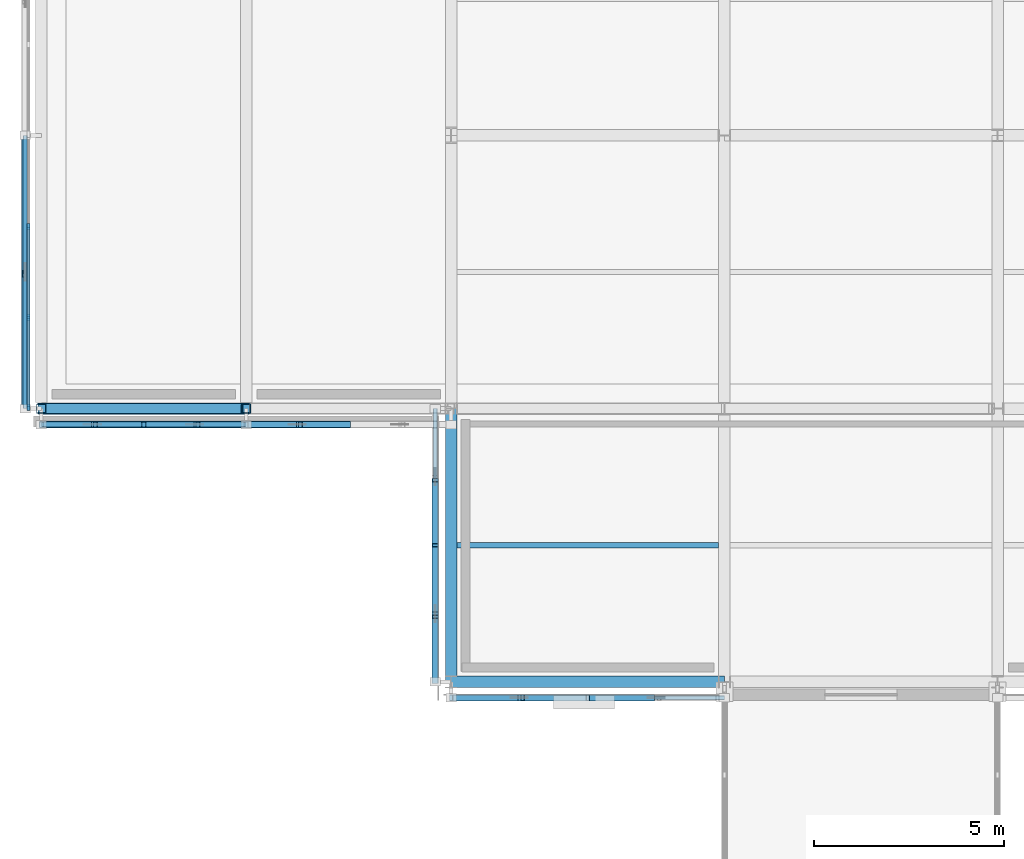
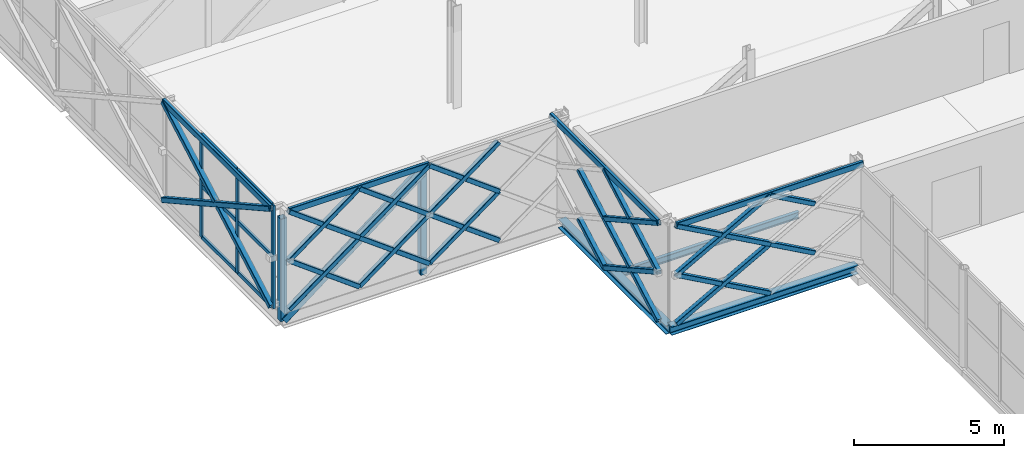
# One storey, part 28 of 126: 53 members, 3 beams, 1 element without a shape of its own.
"""IFC4 building model written with IfcOpenShell, lengths in metres."""

from ifc_helpers import new_model, si_unit, direction, frame, origin, origin_2d, place, context, subcontext, project, spatial, rectangle, hollow_rectangle, i_section, extrude, material, material_profile, profile_set, type_object, element, aggregate, save


model = new_model("IFC4")

# Units and contexts
model_context = context("Model", 3, precision=1e-05, world=origin(), true_north=direction((0.0, 1.0)))
body_context = subcontext(model_context, "Body", "Model", "MODEL_VIEW")
ifc_project = project(units=[si_unit("LENGTHUNIT", "METRE"), si_unit("AREAUNIT", "SQUARE_METRE"), si_unit("VOLUMEUNIT", "CUBIC_METRE"), si_unit("PLANEANGLEUNIT", "RADIAN"), si_unit("MASSUNIT", "GRAM", prefix="KILO")], contexts=[model_context])

# Site, building, storey
site_placement = place(None, origin())
site = spatial("IfcSite", under=ifc_project, at=site_placement, CompositionType="ELEMENT")
building_placement = place(site_placement, origin())
building = spatial("IfcBuilding", under=site, at=building_placement, Name="Zlatovets Crest Museum", CompositionType="ELEMENT")
storey_placement = place(building_placement, frame((0.0, 0.0, 8.699951171875)))
storey = spatial("IfcBuildingStorey", under=building, at=storey_placement, Name="L02", CompositionType="ELEMENT", Elevation=8.699951171875)

# Beams
ifc_material_1 = material(Name="Structural steel S355J2", Category="steel")
ifc_material_profile_1 = material_profile(ifc_material_1, i_section(OverallWidth=0.300048828125, OverallDepth=0.35009765625, WebThickness=0.010009765625, FlangeThickness=0.017578125, FilletRadius=0.027099609375, at=origin_2d()), Name="HEA 360")
ifc_profile_set_1 = profile_set([ifc_material_profile_1], Name="Structural steel S355J2")
beam_type_1 = type_object("IfcBeamType", Name="Beam_B-03", PredefinedType="BEAM", material=ifc_profile_set_1)
beam_1_placement = place(storey_placement, frame((7.199951171875, 50.39990234375, -0.39501953125), z_axis=(1.0, 0.0, 0.0), x_axis=(0.0, 1.0, 0.0)))
element("IfcBeam", 1, at=beam_1_placement, inside=storey, type_object=beam_type_1, Name="V4 L02 Primary Girder B-03", PredefinedType="BEAM", context=body_context, shape_type="SweptSolid", body=[
    extrude(i_section(OverallWidth=0.300048828125, OverallDepth=0.35009765625, WebThickness=0.010009765625, FlangeThickness=0.017578125, FilletRadius=0.027099609375, at=origin_2d()), origin(), (0.0, 0.0, 1.0), 7.199951171875),
])
beam_2_placement = place(storey_placement, frame((7.199951171875, 50.39990234375, -0.39501953125), z_axis=(0.0, 1.0, 0.0), x_axis=(-1.0, 0.0, 0.0)))
element("IfcBeam", 2, at=beam_2_placement, inside=storey, type_object=beam_type_1, Name="V4 L02 Grid Beam B-03", PredefinedType="BEAM", context=body_context, shape_type="SweptSolid", body=[
    extrude(i_section(OverallWidth=0.300048828125, OverallDepth=0.35009765625, WebThickness=0.010009765625, FlangeThickness=0.017578125, FilletRadius=0.027099609375, at=origin_2d()), origin(), (0.0, 0.0, 1.0), 7.2001953125),
])
ifc_material_profile_2 = material_profile(ifc_material_1, i_section(OverallWidth=0.135009765625, OverallDepth=0.27001953125, WebThickness=0.006591796875, FlangeThickness=0.01025390625, FilletRadius=0.014892578125, at=origin_2d()), Name="IPE 270")
ifc_profile_set_2 = profile_set([ifc_material_profile_2], Name="Structural steel S355J2")
beam_type_2 = type_object("IfcBeamType", Name="Beam_J-03", PredefinedType="JOIST", material=ifc_profile_set_2)
beam_3_placement = place(storey_placement, frame((7.35009765625, 54.0, -0.35498046875), z_axis=(1.0, 0.0, 0.0), x_axis=(0.0, 1.0, 0.0)))
element("IfcBeam", 3, at=beam_3_placement, inside=storey, type_object=beam_type_2, Name="V4 L02 Composite Joist J-03", PredefinedType="JOIST", context=body_context, shape_type="SweptSolid", body=[
    extrude(i_section(OverallWidth=0.135009765625, OverallDepth=0.27001953125, WebThickness=0.006591796875, FlangeThickness=0.01025390625, FilletRadius=0.014892578125, at=origin_2d()), origin(), (0.0, 0.0, 1.0), 6.89990234375),
])

# Curtain wall, members
ifc_material_2 = material(Name="Bronze-anodised aluminium and low-E triple glass", Category="aluminium")
curtain_wall_type = type_object("IfcCurtainWallType", Name="CW_CW-V4-L02-M2", PredefinedType="NOTDEFINED", material=ifc_material_2)
curtain_wall_placement = place(storey_placement, origin())
curtain_wall = element("IfcCurtainWall", 4, at=curtain_wall_placement, inside=storey, type_object=curtain_wall_type, Name="V4 L02 Secession Foyer Clear Curtain Wall", PredefinedType="NOTDEFINED")
ifc_material_3 = material(Name="Bronze-anodised aluminium EN AW-6060", Category="aluminium")
ifc_material_profile_3 = material_profile(ifc_material_3, rectangle(XDim=0.080078125, YDim=0.159912109375, at=origin_2d()), Name="ALU 80x160")
ifc_profile_set_3 = profile_set([ifc_material_profile_3], Name="Bronze-anodised aluminium EN AW-6060")
member_type_1 = type_object("IfcMemberType", Name="CWMull_M1", PredefinedType="MULLION", material=ifc_profile_set_3)
member_1_placement = place(storey_placement, frame((-3.93994140625, 62.39990234375, 0.0), z_axis=(0.0, 0.0, 1.0), x_axis=(1.0, 0.0, 0.0)))
member_1 = element("IfcMember", 5, at=member_1_placement, type_object=member_type_1, Name="CW-V4-L02-M2 mullion 2", PredefinedType="MULLION", context=body_context, shape_type="SweptSolid", body=[
    extrude(rectangle(XDim=0.080078125, YDim=0.159912109375, at=origin_2d()), origin(), (0.0, 0.0, 1.0), 4.199951171875),
])
member_2_placement = place(storey_placement, frame((-3.93994140625, 60.0, 0.0), z_axis=(0.0, 0.0, 1.0), x_axis=(1.0, 0.0, 0.0)))
member_2 = element("IfcMember", 6, at=member_2_placement, type_object=member_type_1, Name="CW-V4-L02-M2 mullion 3", PredefinedType="MULLION", context=body_context, shape_type="SweptSolid", body=[
    extrude(rectangle(XDim=0.080078125, YDim=0.159912109375, at=origin_2d()), origin(), (0.0, 0.0, 1.0), 4.199951171875),
])
member_3_placement = place(storey_placement, frame((-3.93994140625, 57.6298828125, 0.0), z_axis=(0.0, 0.0, 1.0), x_axis=(1.0, 0.0, 0.0)))
member_3 = element("IfcMember", 7, at=member_3_placement, type_object=member_type_1, Name="CW-V4-L02-M2 mullion 4", PredefinedType="MULLION", context=body_context, shape_type="SweptSolid", body=[
    extrude(rectangle(XDim=0.080078125, YDim=0.159912109375, at=origin_2d()), origin(), (0.0, 0.0, 1.0), 4.199951171875),
])
ifc_material_profile_4 = material_profile(ifc_material_3, rectangle(XDim=0.080078125, YDim=0.159912109375, at=origin_2d()), Name="ALU 80x160")
ifc_profile_set_4 = profile_set([ifc_material_profile_4], Name="Bronze-anodised aluminium EN AW-6060")
member_type_2 = type_object("IfcMemberType", Name="CWTrans_T1", PredefinedType="USERDEFINED", material=ifc_profile_set_4)
member_4_placement = place(storey_placement, frame((-3.93994140625, 62.3701171875, 0.030029296875), z_axis=(0.0, -1.0, 0.0), x_axis=(1.0, 0.0, 0.0)))
member_4 = element("IfcMember", 8, at=member_4_placement, type_object=member_type_2, Name="CW-V4-L02-M2 transom 2.1", ObjectType="TRANSOM", PredefinedType="USERDEFINED", context=body_context, shape_type="SweptSolid", body=[
    extrude(rectangle(XDim=0.080078125, YDim=0.159912109375, at=origin_2d()), origin(), (0.0, 0.0, 1.0), 2.340087890625),
])
member_5_placement = place(storey_placement, frame((-3.93994140625, 62.3701171875, 2.10009765625), z_axis=(0.0, -1.0, 0.0), x_axis=(1.0, 0.0, 0.0)))
member_5 = element("IfcMember", 9, at=member_5_placement, type_object=member_type_2, Name="CW-V4-L02-M2 transom 2.2", ObjectType="TRANSOM", PredefinedType="USERDEFINED", context=body_context, shape_type="SweptSolid", body=[
    extrude(rectangle(XDim=0.080078125, YDim=0.159912109375, at=origin_2d()), origin(), (0.0, 0.0, 1.0), 2.340087890625),
])
member_6_placement = place(storey_placement, frame((-3.93994140625, 62.3701171875, 4.170166015625), z_axis=(0.0, -1.0, 0.0), x_axis=(1.0, 0.0, 0.0)))
member_6 = element("IfcMember", 10, at=member_6_placement, type_object=member_type_2, Name="CW-V4-L02-M2 transom 2.3", ObjectType="TRANSOM", PredefinedType="USERDEFINED", context=body_context, shape_type="SweptSolid", body=[
    extrude(rectangle(XDim=0.080078125, YDim=0.159912109375, at=origin_2d()), origin(), (0.0, 0.0, 1.0), 2.340087890625),
])
member_7_placement = place(storey_placement, frame((-3.93994140625, 59.969970703125, 0.030029296875), z_axis=(0.0, -1.0, 0.0), x_axis=(1.0, 0.0, 0.0)))
member_7 = element("IfcMember", 11, at=member_7_placement, type_object=member_type_2, Name="CW-V4-L02-M2 transom 3.1", ObjectType="TRANSOM", PredefinedType="USERDEFINED", context=body_context, shape_type="SweptSolid", body=[
    extrude(rectangle(XDim=0.080078125, YDim=0.159912109375, at=origin_2d()), origin(), (0.0, 0.0, 1.0), 2.31005859375),
])
member_8_placement = place(storey_placement, frame((-3.93994140625, 59.969970703125, 2.10009765625), z_axis=(0.0, -1.0, 0.0), x_axis=(1.0, 0.0, 0.0)))
member_8 = element("IfcMember", 12, at=member_8_placement, type_object=member_type_2, Name="CW-V4-L02-M2 transom 3.2", ObjectType="TRANSOM", PredefinedType="USERDEFINED", context=body_context, shape_type="SweptSolid", body=[
    extrude(rectangle(XDim=0.080078125, YDim=0.159912109375, at=origin_2d()), origin(), (0.0, 0.0, 1.0), 2.31005859375),
])
member_9_placement = place(storey_placement, frame((-3.93994140625, 59.969970703125, 4.170166015625), z_axis=(0.0, -1.0, 0.0), x_axis=(1.0, 0.0, 0.0)))
member_9 = element("IfcMember", 13, at=member_9_placement, type_object=member_type_2, Name="CW-V4-L02-M2 transom 3.3", ObjectType="TRANSOM", PredefinedType="USERDEFINED", context=body_context, shape_type="SweptSolid", body=[
    extrude(rectangle(XDim=0.080078125, YDim=0.159912109375, at=origin_2d()), origin(), (0.0, 0.0, 1.0), 2.31005859375),
])
aggregate(curtain_wall, [member_1, member_2, member_3, member_4, member_5, member_6, member_7, member_8, member_9])

# Members
ifc_material_4 = material(Name="Weathering bronze-steel S355J2W", Category="steel")
ifc_material_profile_5 = material_profile(ifc_material_4, hollow_rectangle(XDim=0.179931640625, YDim=0.179931640625, WallThickness=0.010009765625, InnerFilletRadius=0.010009765625, OuterFilletRadius=0.02001953125, at=origin_2d()), Name="SHS 180x180x10.0")
ifc_profile_set_5 = profile_set([ifc_material_profile_5], Name="Weathering bronze-steel S355J2W")
member_type_3 = type_object("IfcMemberType", Name="Lattice_XL-01", PredefinedType="BRACE", material=ifc_profile_set_5)
member_10_placement = place(storey_placement, frame((7.199951171875, 49.97998046875, 0.10009765625), z_axis=(0.874162868644, 0.0, 0.485632864501), x_axis=(0.0, 1.0, 0.0)))
element("IfcMember", 14, at=member_10_placement, inside=storey, type_object=member_type_3, Name="Continuous Bronze Lattice Diagonal", PredefinedType="BRACE", context=body_context, shape_type="SweptSolid", body=[
    extrude(hollow_rectangle(XDim=0.179931640625, YDim=0.179931640625, WallThickness=0.010009765625, InnerFilletRadius=0.010009765625, OuterFilletRadius=0.02001953125, at=origin_2d()), origin(), (0.0, 0.0, 1.0), 4.118408203125),
])
for number, where, z_axis, x_axis, name in (
    (15, (7.199951171875, 49.97998046875, 2.10009765625), (0.874169001841, 0.0, -0.485621824284), (0.0, 1.0, 0.0), "Split Crossing Bronze Lattice Diagonal Upper"),
    (16, (9.0830078125, 49.97998046875, 1.053955078125), (0.874169001841, 0.0, -0.485621824284), (0.0, 1.0, 0.0), "Split Crossing Bronze Lattice Diagonal Lower"),
    (17, (10.800048828125, 49.97998046875, 2.10009765625), (0.874169001841, 0.0, -0.485621824284), (0.0, 1.0, 0.0), "Split Crossing Bronze Lattice Diagonal Upper"),
):
    element("IfcMember", number, at=place(storey_placement, frame(where, z_axis=z_axis, x_axis=x_axis)), inside=storey, type_object=member_type_3, Name=name, PredefinedType="BRACE", context=body_context, shape_type="SweptSolid", body=[
        extrude(hollow_rectangle(XDim=0.179931640625, YDim=0.179931640625, WallThickness=0.010009765625, InnerFilletRadius=0.010009765625, OuterFilletRadius=0.02001953125, at=origin_2d()), origin(), (0.0, 0.0, 1.0), 1.964111328125),
    ])
member_11_placement = place(storey_placement, frame((7.199951171875, 49.97998046875, 2.10009765625), z_axis=(0.874162868644, 0.0, 0.485632864501), x_axis=(0.0, 1.0, 0.0)))
element("IfcMember", 18, at=member_11_placement, inside=storey, type_object=member_type_3, Name="Continuous Bronze Lattice Diagonal", PredefinedType="BRACE", context=body_context, shape_type="SweptSolid", body=[
    extrude(hollow_rectangle(XDim=0.179931640625, YDim=0.179931640625, WallThickness=0.010009765625, InnerFilletRadius=0.010009765625, OuterFilletRadius=0.02001953125, at=origin_2d()), origin(), (0.0, 0.0, 1.0), 4.118408203125),
])
for number, where, z_axis, x_axis, name in (
    (19, (7.199951171875, 49.97998046875, 4.10009765625), (0.874169001841, 0.0, -0.485621824284), (0.0, 1.0, 0.0), "Split Crossing Bronze Lattice Diagonal Upper"),
    (20, (9.0830078125, 49.97998046875, 3.053955078125), (0.874169001841, 0.0, -0.485621824284), (0.0, 1.0, 0.0), "Split Crossing Bronze Lattice Diagonal Lower"),
    (21, (10.800048828125, 49.97998046875, 4.10009765625), (0.874169001841, 0.0, -0.485621824284), (0.0, 1.0, 0.0), "Split Crossing Bronze Lattice Diagonal Upper"),
):
    element("IfcMember", number, at=place(storey_placement, frame(where, z_axis=z_axis, x_axis=x_axis)), inside=storey, type_object=member_type_3, Name=name, PredefinedType="BRACE", context=body_context, shape_type="SweptSolid", body=[
        extrude(hollow_rectangle(XDim=0.179931640625, YDim=0.179931640625, WallThickness=0.010009765625, InnerFilletRadius=0.010009765625, OuterFilletRadius=0.02001953125, at=origin_2d()), origin(), (0.0, 0.0, 1.0), 1.964111328125),
    ])
member_12_placement = place(storey_placement, frame((-3.60009765625, 57.179931640625, 0.10009765625), z_axis=(0.803577786301, 0.0, 0.59519974913), x_axis=(0.0, 1.0, 0.0)))
element("IfcMember", 22, at=member_12_placement, inside=storey, type_object=member_type_3, Name="Continuous Bronze Lattice Diagonal", PredefinedType="BRACE", context=body_context, shape_type="SweptSolid", body=[
    extrude(hollow_rectangle(XDim=0.179931640625, YDim=0.179931640625, WallThickness=0.010009765625, InnerFilletRadius=0.010009765625, OuterFilletRadius=0.02001953125, at=origin_2d()), origin(), (0.0, 0.0, 1.0), 3.360107421875),
])
member_13_placement = place(storey_placement, frame((-3.60009765625, 57.179931640625, 2.10009765625), z_axis=(0.803516265271, 0.0, -0.595282799554), x_axis=(0.0, 1.0, 0.0)))
element("IfcMember", 23, at=member_13_placement, inside=storey, type_object=member_type_3, Name="Split Crossing Bronze Lattice Diagonal Upper", PredefinedType="BRACE", context=body_context, shape_type="SweptSolid", body=[
    extrude(hollow_rectangle(XDim=0.179931640625, YDim=0.179931640625, WallThickness=0.010009765625, InnerFilletRadius=0.010009765625, OuterFilletRadius=0.02001953125, at=origin_2d()), origin(), (0.0, 0.0, 1.0), 1.585205078125),
])
member_14_placement = place(storey_placement, frame((-2.173583984375, 57.179931640625, 1.04345703125), z_axis=(0.80358993607, 0.0, -0.595183345404), x_axis=(0.0, 1.0, 0.0)))
element("IfcMember", 24, at=member_14_placement, inside=storey, type_object=member_type_3, Name="Split Crossing Bronze Lattice Diagonal Lower", PredefinedType="BRACE", context=body_context, shape_type="SweptSolid", body=[
    extrude(hollow_rectangle(XDim=0.179931640625, YDim=0.179931640625, WallThickness=0.010009765625, InnerFilletRadius=0.010009765625, OuterFilletRadius=0.02001953125, at=origin_2d()), origin(), (0.0, 0.0, 1.0), 1.5849609375),
])
member_15_placement = place(storey_placement, frame((-0.89990234375, 57.179931640625, 0.10009765625), z_axis=(0.803552044655, 0.0, 0.595234501294), x_axis=(0.0, 1.0, 0.0)))
element("IfcMember", 25, at=member_15_placement, inside=storey, type_object=member_type_3, Name="Continuous Bronze Lattice Diagonal", PredefinedType="BRACE", context=body_context, shape_type="SweptSolid", body=[
    extrude(hollow_rectangle(XDim=0.179931640625, YDim=0.179931640625, WallThickness=0.010009765625, InnerFilletRadius=0.010009765625, OuterFilletRadius=0.02001953125, at=origin_2d()), origin(), (0.0, 0.0, 1.0), 3.360107421875),
])
member_16_placement = place(storey_placement, frame((-0.89990234375, 57.179931640625, 2.10009765625), z_axis=(0.803516265271, 0.0, -0.595282799554), x_axis=(0.0, 1.0, 0.0)))
element("IfcMember", 26, at=member_16_placement, inside=storey, type_object=member_type_3, Name="Split Crossing Bronze Lattice Diagonal Upper", PredefinedType="BRACE", context=body_context, shape_type="SweptSolid", body=[
    extrude(hollow_rectangle(XDim=0.179931640625, YDim=0.179931640625, WallThickness=0.010009765625, InnerFilletRadius=0.010009765625, OuterFilletRadius=0.02001953125, at=origin_2d()), origin(), (0.0, 0.0, 1.0), 1.585205078125),
])
member_17_placement = place(storey_placement, frame((0.5263671875, 57.179931640625, 1.04345703125), z_axis=(0.80358993607, 0.0, -0.595183345404), x_axis=(0.0, 1.0, 0.0)))
element("IfcMember", 27, at=member_17_placement, inside=storey, type_object=member_type_3, Name="Split Crossing Bronze Lattice Diagonal Lower", PredefinedType="BRACE", context=body_context, shape_type="SweptSolid", body=[
    extrude(hollow_rectangle(XDim=0.179931640625, YDim=0.179931640625, WallThickness=0.010009765625, InnerFilletRadius=0.010009765625, OuterFilletRadius=0.02001953125, at=origin_2d()), origin(), (0.0, 0.0, 1.0), 1.5849609375),
])
member_18_placement = place(storey_placement, frame((-3.60009765625, 57.179931640625, 2.10009765625), z_axis=(0.803577786301, 0.0, 0.59519974913), x_axis=(0.0, 1.0, 0.0)))
element("IfcMember", 28, at=member_18_placement, inside=storey, type_object=member_type_3, Name="Continuous Bronze Lattice Diagonal", PredefinedType="BRACE", context=body_context, shape_type="SweptSolid", body=[
    extrude(hollow_rectangle(XDim=0.179931640625, YDim=0.179931640625, WallThickness=0.010009765625, InnerFilletRadius=0.010009765625, OuterFilletRadius=0.02001953125, at=origin_2d()), origin(), (0.0, 0.0, 1.0), 3.360107421875),
])
member_19_placement = place(storey_placement, frame((-3.60009765625, 57.179931640625, 4.10009765625), z_axis=(0.803516265271, 0.0, -0.595282799554), x_axis=(0.0, 1.0, 0.0)))
element("IfcMember", 29, at=member_19_placement, inside=storey, type_object=member_type_3, Name="Split Crossing Bronze Lattice Diagonal Upper", PredefinedType="BRACE", context=body_context, shape_type="SweptSolid", body=[
    extrude(hollow_rectangle(XDim=0.179931640625, YDim=0.179931640625, WallThickness=0.010009765625, InnerFilletRadius=0.010009765625, OuterFilletRadius=0.02001953125, at=origin_2d()), origin(), (0.0, 0.0, 1.0), 1.585205078125),
])
member_20_placement = place(storey_placement, frame((-2.173583984375, 57.179931640625, 3.04345703125), z_axis=(0.80358993607, 0.0, -0.595183345404), x_axis=(0.0, 1.0, 0.0)))
element("IfcMember", 30, at=member_20_placement, inside=storey, type_object=member_type_3, Name="Split Crossing Bronze Lattice Diagonal Lower", PredefinedType="BRACE", context=body_context, shape_type="SweptSolid", body=[
    extrude(hollow_rectangle(XDim=0.179931640625, YDim=0.179931640625, WallThickness=0.010009765625, InnerFilletRadius=0.010009765625, OuterFilletRadius=0.02001953125, at=origin_2d()), origin(), (0.0, 0.0, 1.0), 1.5849609375),
])
member_21_placement = place(storey_placement, frame((-0.89990234375, 57.179931640625, 2.10009765625), z_axis=(0.803552044655, 0.0, 0.595234501294), x_axis=(0.0, 1.0, 0.0)))
element("IfcMember", 31, at=member_21_placement, inside=storey, type_object=member_type_3, Name="Continuous Bronze Lattice Diagonal", PredefinedType="BRACE", context=body_context, shape_type="SweptSolid", body=[
    extrude(hollow_rectangle(XDim=0.179931640625, YDim=0.179931640625, WallThickness=0.010009765625, InnerFilletRadius=0.010009765625, OuterFilletRadius=0.02001953125, at=origin_2d()), origin(), (0.0, 0.0, 1.0), 3.360107421875),
])
member_22_placement = place(storey_placement, frame((-0.89990234375, 57.179931640625, 4.10009765625), z_axis=(0.803516265271, 0.0, -0.595282799554), x_axis=(0.0, 1.0, 0.0)))
element("IfcMember", 32, at=member_22_placement, inside=storey, type_object=member_type_3, Name="Split Crossing Bronze Lattice Diagonal Upper", PredefinedType="BRACE", context=body_context, shape_type="SweptSolid", body=[
    extrude(hollow_rectangle(XDim=0.179931640625, YDim=0.179931640625, WallThickness=0.010009765625, InnerFilletRadius=0.010009765625, OuterFilletRadius=0.02001953125, at=origin_2d()), origin(), (0.0, 0.0, 1.0), 1.585205078125),
])
member_23_placement = place(storey_placement, frame((0.5263671875, 57.179931640625, 3.04345703125), z_axis=(0.80358993607, 0.0, -0.595183345404), x_axis=(0.0, 1.0, 0.0)))
element("IfcMember", 33, at=member_23_placement, inside=storey, type_object=member_type_3, Name="Split Crossing Bronze Lattice Diagonal Lower", PredefinedType="BRACE", context=body_context, shape_type="SweptSolid", body=[
    extrude(hollow_rectangle(XDim=0.179931640625, YDim=0.179931640625, WallThickness=0.010009765625, InnerFilletRadius=0.010009765625, OuterFilletRadius=0.02001953125, at=origin_2d()), origin(), (0.0, 0.0, 1.0), 1.5849609375),
])
member_24_placement = place(storey_placement, frame((1.800048828125, 57.179931640625, 0.10009765625), z_axis=(0.803552044655, 0.0, 0.595234501294), x_axis=(0.0, 1.0, 0.0)))
element("IfcMember", 34, at=member_24_placement, inside=storey, type_object=member_type_3, Name="Continuous Bronze Lattice Diagonal", PredefinedType="BRACE", context=body_context, shape_type="SweptSolid", body=[
    extrude(hollow_rectangle(XDim=0.179931640625, YDim=0.179931640625, WallThickness=0.010009765625, InnerFilletRadius=0.010009765625, OuterFilletRadius=0.02001953125, at=origin_2d()), origin(), (0.0, 0.0, 1.0), 3.360107421875),
])
member_25_placement = place(storey_placement, frame((1.800048828125, 57.179931640625, 2.10009765625), z_axis=(0.803516265271, 0.0, -0.595282799554), x_axis=(0.0, 1.0, 0.0)))
element("IfcMember", 35, at=member_25_placement, inside=storey, type_object=member_type_3, Name="Split Crossing Bronze Lattice Diagonal Upper", PredefinedType="BRACE", context=body_context, shape_type="SweptSolid", body=[
    extrude(hollow_rectangle(XDim=0.179931640625, YDim=0.179931640625, WallThickness=0.010009765625, InnerFilletRadius=0.010009765625, OuterFilletRadius=0.02001953125, at=origin_2d()), origin(), (0.0, 0.0, 1.0), 1.585205078125),
])
member_26_placement = place(storey_placement, frame((3.226318359375, 57.179931640625, 1.04345703125), z_axis=(0.80358993607, 0.0, -0.595183345404), x_axis=(0.0, 1.0, 0.0)))
element("IfcMember", 36, at=member_26_placement, inside=storey, type_object=member_type_3, Name="Split Crossing Bronze Lattice Diagonal Lower", PredefinedType="BRACE", context=body_context, shape_type="SweptSolid", body=[
    extrude(hollow_rectangle(XDim=0.179931640625, YDim=0.179931640625, WallThickness=0.010009765625, InnerFilletRadius=0.010009765625, OuterFilletRadius=0.02001953125, at=origin_2d()), origin(), (0.0, 0.0, 1.0), 1.5849609375),
])
member_27_placement = place(storey_placement, frame((1.800048828125, 57.179931640625, 2.10009765625), z_axis=(0.803552044655, 0.0, 0.595234501294), x_axis=(0.0, 1.0, 0.0)))
element("IfcMember", 37, at=member_27_placement, inside=storey, type_object=member_type_3, Name="Continuous Bronze Lattice Diagonal", PredefinedType="BRACE", context=body_context, shape_type="SweptSolid", body=[
    extrude(hollow_rectangle(XDim=0.179931640625, YDim=0.179931640625, WallThickness=0.010009765625, InnerFilletRadius=0.010009765625, OuterFilletRadius=0.02001953125, at=origin_2d()), origin(), (0.0, 0.0, 1.0), 3.360107421875),
])
member_28_placement = place(storey_placement, frame((1.800048828125, 57.179931640625, 4.10009765625), z_axis=(0.803516265271, 0.0, -0.595282799554), x_axis=(0.0, 1.0, 0.0)))
element("IfcMember", 38, at=member_28_placement, inside=storey, type_object=member_type_3, Name="Split Crossing Bronze Lattice Diagonal Upper", PredefinedType="BRACE", context=body_context, shape_type="SweptSolid", body=[
    extrude(hollow_rectangle(XDim=0.179931640625, YDim=0.179931640625, WallThickness=0.010009765625, InnerFilletRadius=0.010009765625, OuterFilletRadius=0.02001953125, at=origin_2d()), origin(), (0.0, 0.0, 1.0), 1.585205078125),
])
member_29_placement = place(storey_placement, frame((3.226318359375, 57.179931640625, 3.04345703125), z_axis=(0.80358993607, 0.0, -0.595183345404), x_axis=(0.0, 1.0, 0.0)))
element("IfcMember", 39, at=member_29_placement, inside=storey, type_object=member_type_3, Name="Split Crossing Bronze Lattice Diagonal Lower", PredefinedType="BRACE", context=body_context, shape_type="SweptSolid", body=[
    extrude(hollow_rectangle(XDim=0.179931640625, YDim=0.179931640625, WallThickness=0.010009765625, InnerFilletRadius=0.010009765625, OuterFilletRadius=0.02001953125, at=origin_2d()), origin(), (0.0, 0.0, 1.0), 1.5849609375),
])
member_30_placement = place(storey_placement, frame((6.780029296875, 55.717041015625, 1.053955078125), z_axis=(0.0, -0.874169001841, -0.485621824284), x_axis=(1.0, 0.0, 0.0)))
element("IfcMember", 40, at=member_30_placement, inside=storey, type_object=member_type_3, Name="Split Crossing Bronze Lattice Diagonal Lower", PredefinedType="BRACE", context=body_context, shape_type="SweptSolid", body=[
    extrude(hollow_rectangle(XDim=0.179931640625, YDim=0.179931640625, WallThickness=0.010009765625, InnerFilletRadius=0.010009765625, OuterFilletRadius=0.02001953125, at=origin_2d()), origin(), (0.0, 0.0, 1.0), 1.964111328125),
])
member_31_placement = place(storey_placement, frame((6.780029296875, 54.0, 0.10009765625), z_axis=(0.0, -0.874162868644, 0.485632864501), x_axis=(1.0, 0.0, 0.0)))
element("IfcMember", 41, at=member_31_placement, inside=storey, type_object=member_type_3, Name="Continuous Bronze Lattice Diagonal", PredefinedType="BRACE", context=body_context, shape_type="SweptSolid", body=[
    extrude(hollow_rectangle(XDim=0.179931640625, YDim=0.179931640625, WallThickness=0.010009765625, InnerFilletRadius=0.010009765625, OuterFilletRadius=0.02001953125, at=origin_2d()), origin(), (0.0, 0.0, 1.0), 4.118408203125),
])
for number, where, z_axis, x_axis, name in (
    (42, (6.780029296875, 54.0, 2.10009765625), (0.0, -0.874169001841, -0.485621824284), (1.0, 0.0, 0.0), "Split Crossing Bronze Lattice Diagonal Upper"),
    (43, (6.780029296875, 52.116943359375, 1.053955078125), (0.0, -0.874169001841, -0.485621824284), (1.0, 0.0, 0.0), "Split Crossing Bronze Lattice Diagonal Lower"),
    (44, (6.780029296875, 55.717041015625, 3.053955078125), (0.0, -0.874169001841, -0.485621824284), (1.0, 0.0, 0.0), "Split Crossing Bronze Lattice Diagonal Lower"),
):
    element("IfcMember", number, at=place(storey_placement, frame(where, z_axis=z_axis, x_axis=x_axis)), inside=storey, type_object=member_type_3, Name=name, PredefinedType="BRACE", context=body_context, shape_type="SweptSolid", body=[
        extrude(hollow_rectangle(XDim=0.179931640625, YDim=0.179931640625, WallThickness=0.010009765625, InnerFilletRadius=0.010009765625, OuterFilletRadius=0.02001953125, at=origin_2d()), origin(), (0.0, 0.0, 1.0), 1.964111328125),
    ])
member_32_placement = place(storey_placement, frame((6.780029296875, 54.0, 2.10009765625), z_axis=(0.0, -0.874162868644, 0.485632864501), x_axis=(1.0, 0.0, 0.0)))
element("IfcMember", 45, at=member_32_placement, inside=storey, type_object=member_type_3, Name="Continuous Bronze Lattice Diagonal", PredefinedType="BRACE", context=body_context, shape_type="SweptSolid", body=[
    extrude(hollow_rectangle(XDim=0.179931640625, YDim=0.179931640625, WallThickness=0.010009765625, InnerFilletRadius=0.010009765625, OuterFilletRadius=0.02001953125, at=origin_2d()), origin(), (0.0, 0.0, 1.0), 4.118408203125),
])
for number, where, z_axis, x_axis, name in (
    (46, (6.780029296875, 54.0, 4.10009765625), (0.0, -0.874169001841, -0.485621824284), (1.0, 0.0, 0.0), "Split Crossing Bronze Lattice Diagonal Upper"),
    (47, (6.780029296875, 52.116943359375, 3.053955078125), (0.0, -0.874169001841, -0.485621824284), (1.0, 0.0, 0.0), "Split Crossing Bronze Lattice Diagonal Lower"),
):
    element("IfcMember", number, at=place(storey_placement, frame(where, z_axis=z_axis, x_axis=x_axis)), inside=storey, type_object=member_type_3, Name=name, PredefinedType="BRACE", context=body_context, shape_type="SweptSolid", body=[
        extrude(hollow_rectangle(XDim=0.179931640625, YDim=0.179931640625, WallThickness=0.010009765625, InnerFilletRadius=0.010009765625, OuterFilletRadius=0.02001953125, at=origin_2d()), origin(), (0.0, 0.0, 1.0), 1.964111328125),
    ])
ifc_material_profile_6 = material_profile(ifc_material_4, hollow_rectangle(XDim=0.199951171875, YDim=0.199951171875, WallThickness=0.012451171875, InnerFilletRadius=0.012451171875, OuterFilletRadius=0.02490234375, at=origin_2d()), Name="SHS 200x200x12.5")
ifc_profile_set_6 = profile_set([ifc_material_profile_6], Name="Weathering bronze-steel S355J2W")
member_type_4 = type_object("IfcMemberType", Name="Lattice_XL-02", PredefinedType="BRACE", material=ifc_profile_set_6)
member_33_placement = place(storey_placement, frame((-4.02001953125, 64.800048828125, 0.10009765625), z_axis=(0.0, -0.874155877937, 0.485645447903), x_axis=(1.0, 0.0, 0.0)))
element("IfcMember", 48, at=member_33_placement, inside=storey, type_object=member_type_4, Name="Continuous Bronze Lattice Diagonal", PredefinedType="BRACE", context=body_context, shape_type="SweptSolid", body=[
    extrude(hollow_rectangle(XDim=0.199951171875, YDim=0.199951171875, WallThickness=0.012451171875, InnerFilletRadius=0.012451171875, OuterFilletRadius=0.02490234375, at=origin_2d()), origin(), (0.0, 0.0, 1.0), 8.236572265625),
])
member_34_placement = place(storey_placement, frame((-4.02001953125, 64.800048828125, 4.10009765625), z_axis=(0.0, -0.874165862873, -0.485627474703), x_axis=(1.0, 0.0, 0.0)))
element("IfcMember", 49, at=member_34_placement, inside=storey, type_object=member_type_4, Name="Split Crossing Bronze Lattice Diagonal Upper", PredefinedType="BRACE", context=body_context, shape_type="SweptSolid", body=[
    extrude(hollow_rectangle(XDim=0.199951171875, YDim=0.199951171875, WallThickness=0.012451171875, InnerFilletRadius=0.012451171875, OuterFilletRadius=0.02490234375, at=origin_2d()), origin(), (0.0, 0.0, 1.0), 4.0234375),
])
member_35_placement = place(storey_placement, frame((-4.02001953125, 61.116943359375, 2.053955078125), z_axis=(0.0, -0.874151551165, -0.485653235958), x_axis=(1.0, 0.0, 0.0)))
element("IfcMember", 50, at=member_35_placement, inside=storey, type_object=member_type_4, Name="Split Crossing Bronze Lattice Diagonal Lower", PredefinedType="BRACE", context=body_context, shape_type="SweptSolid", body=[
    extrude(hollow_rectangle(XDim=0.199951171875, YDim=0.199951171875, WallThickness=0.012451171875, InnerFilletRadius=0.012451171875, OuterFilletRadius=0.02490234375, at=origin_2d()), origin(), (0.0, 0.0, 1.0), 4.023193359375),
])
ifc_material_profile_7 = material_profile(ifc_material_4, hollow_rectangle(XDim=0.1201171875, YDim=0.239990234375, WallThickness=0.010009765625, InnerFilletRadius=0.010009765625, OuterFilletRadius=0.02001953125, at=origin_2d()), Name="RHS 120x240x10.0")
ifc_profile_set_7 = profile_set([ifc_material_profile_7], Name="Weathering bronze-steel S355J2W")
member_type_5 = type_object("IfcMemberType", Name="Lattice_XL-04", PredefinedType="CHORD", material=ifc_profile_set_7)
for number, where, z_axis, x_axis, name in (
    (51, (7.199951171875, 49.97998046875, 4.10009765625), (1.0, 0.0, 0.0), (0.0, 1.0, 0.0), "Art Nouveau Woven Cage Collector Ring Chord"),
    (52, (-4.02001953125, 64.800048828125, 4.10009765625), (0.0, -1.0, 0.0), (1.0, 0.0, 0.0), "Art Nouveau Woven Cage Collector Ring Chord"),
):
    element("IfcMember", number, at=place(storey_placement, frame(where, z_axis=z_axis, x_axis=x_axis)), inside=storey, type_object=member_type_5, Name=name, PredefinedType="CHORD", context=body_context, shape_type="SweptSolid", body=[
        extrude(hollow_rectangle(XDim=0.1201171875, YDim=0.239990234375, WallThickness=0.010009765625, InnerFilletRadius=0.010009765625, OuterFilletRadius=0.02001953125, at=origin_2d()), origin(), (0.0, 0.0, 1.0), 7.199951171875),
    ])
member_36_placement = place(storey_placement, frame((-3.60009765625, 57.179931640625, 4.10009765625), z_axis=(1.0, 0.0, 0.0), x_axis=(0.0, 1.0, 0.0)))
element("IfcMember", 53, at=member_36_placement, inside=storey, type_object=member_type_5, Name="Art Nouveau Woven Cage Collector Ring Chord", PredefinedType="CHORD", context=body_context, shape_type="SweptSolid", body=[
    extrude(hollow_rectangle(XDim=0.1201171875, YDim=0.239990234375, WallThickness=0.010009765625, InnerFilletRadius=0.010009765625, OuterFilletRadius=0.02001953125, at=origin_2d()), origin(), (0.0, 0.0, 1.0), 5.400146484375),
])
member_37_placement = place(storey_placement, frame((6.780029296875, 57.60009765625, 4.10009765625), z_axis=(0.0, -1.0, 0.0), x_axis=(1.0, 0.0, 0.0)))
element("IfcMember", 54, at=member_37_placement, inside=storey, type_object=member_type_5, Name="Art Nouveau Woven Cage Collector Ring Chord", PredefinedType="CHORD", context=body_context, shape_type="SweptSolid", body=[
    extrude(hollow_rectangle(XDim=0.1201171875, YDim=0.239990234375, WallThickness=0.010009765625, InnerFilletRadius=0.010009765625, OuterFilletRadius=0.02001953125, at=origin_2d()), origin(), (0.0, 0.0, 1.0), 7.2001953125),
])
ifc_material_profile_8 = material_profile(ifc_material_1, hollow_rectangle(XDim=0.25, YDim=0.25, WallThickness=0.012451171875, InnerFilletRadius=0.012451171875, OuterFilletRadius=0.02490234375, at=origin_2d()), Name="SHS 250x250x12.5")
ifc_profile_set_8 = profile_set([ifc_material_profile_8], Name="Structural steel S355J2")
member_type_6 = type_object("IfcMemberType", Name="Member_TM-07", PredefinedType="CHORD", material=ifc_profile_set_8)
for number, where, z_axis, x_axis, name in (
    (55, (-3.60009765625, 57.60009765625, -0.570068359375), (0.0, 0.0, 1.0), (1.0, 0.0, 0.0), "Transfer Truss TT-1 Lower Vertical Post"),
    (56, (1.800048828125, 57.60009765625, -0.570068359375), (0.0, 0.0, 1.0), (1.0, 0.0, 0.0), "Transfer Truss TT-1 Lower Vertical Post"),
):
    element("IfcMember", number, at=place(storey_placement, frame(where, z_axis=z_axis, x_axis=x_axis)), inside=storey, type_object=member_type_6, Name=name, PredefinedType="CHORD", context=body_context, shape_type="SweptSolid", body=[
        extrude(hollow_rectangle(XDim=0.25, YDim=0.25, WallThickness=0.012451171875, InnerFilletRadius=0.012451171875, OuterFilletRadius=0.02490234375, at=origin_2d()), origin(), (0.0, 0.0, 1.0), 4.18017578125),
    ])
ifc_material_profile_9 = material_profile(ifc_material_1, hollow_rectangle(XDim=0.300048828125, YDim=0.300048828125, WallThickness=0.01611328125, InnerFilletRadius=0.01611328125, OuterFilletRadius=0.031982421875, at=origin_2d()), Name="SHS 300x300x16.0")
ifc_profile_set_9 = profile_set([ifc_material_profile_9], Name="Structural steel S355J2")
member_type_7 = type_object("IfcMemberType", Name="Member_TM-08", PredefinedType="BRACE", material=ifc_profile_set_9)
member_38_placement = place(storey_placement, frame((-3.60009765625, 57.60009765625, -0.570068359375), z_axis=(0.79076501542, 0.0, 0.612119833357), x_axis=(0.0, 1.0, 0.0)))
element("IfcMember", 57, at=member_38_placement, inside=storey, type_object=member_type_7, Name="Transfer Truss TT-1 Lower Web Diagonal", PredefinedType="BRACE", context=body_context, shape_type="SweptSolid", body=[
    extrude(hollow_rectangle(XDim=0.300048828125, YDim=0.300048828125, WallThickness=0.01611328125, InnerFilletRadius=0.01611328125, OuterFilletRadius=0.031982421875, at=origin_2d()), origin(), (0.0, 0.0, 1.0), 6.8291015625),
])

save(model, "model.ifc")
